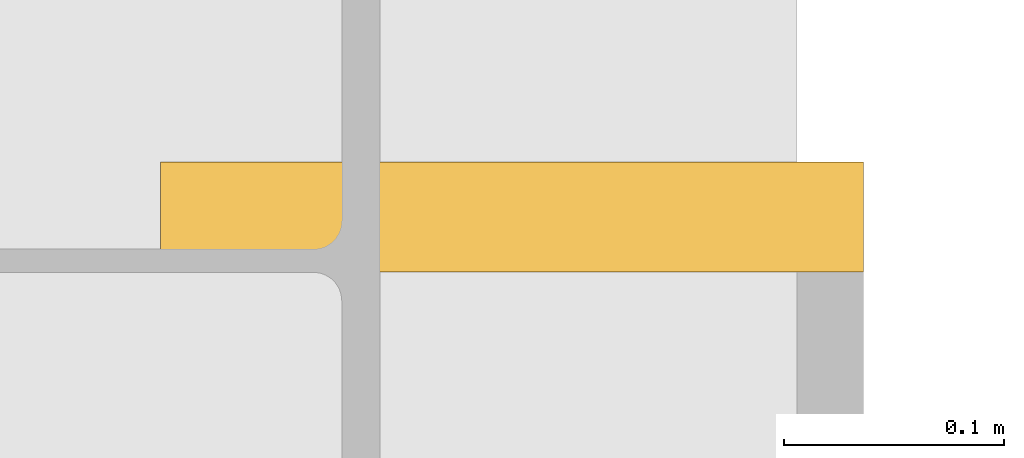
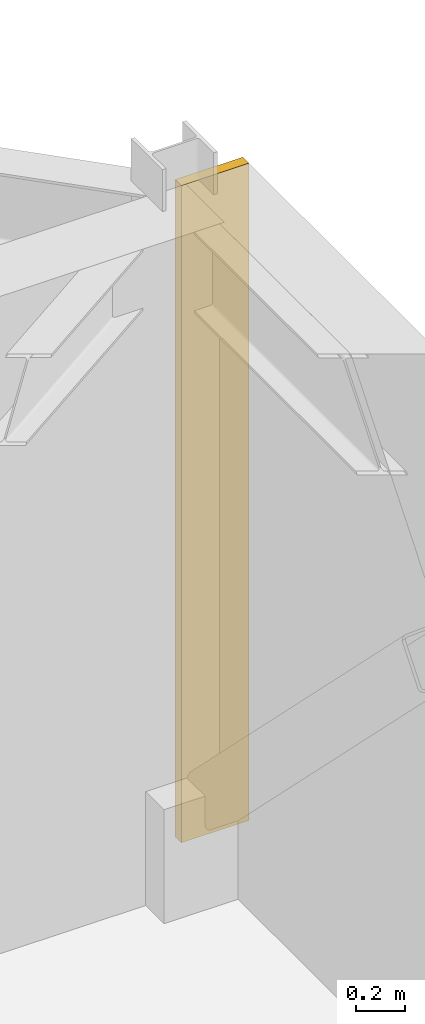
# One storey, part 17 of 17: 1 covering.
"""IFC4 building model written with IfcOpenShell, lengths in metres."""

import ifcopenshell
import ifcopenshell.guid

model = None  # the IFC model being written
_history = None  # IfcOwnerHistory: only IFC2X3 demands one
_inside = {}  # id of a spatial element -> (the spatial element, [elements in it])
_under = {}  # id of a project, library or spatial element -> (it, [spatial elements below it])
_declared = {}  # id of a project -> (the project, [libraries it declares])
_typed = {}  # id of a type object -> (the type object, [elements of that type])
_made_of = {}  # id of a material, layer set ... -> (it, [elements and type objects made of it])


def new_model(schema):
    """Start an empty IFC model of exactly this schema.

    Asked for "IFC4X3", IfcOpenShell would pick the latest addendum, in which some entities
    have other attributes; the version numbers below select the first issue.
    IFC2X3 requires an IfcOwnerHistory on every rooted entity: one is made here for all.
    """
    global model, _history
    if schema == "IFC4X3":
        model = ifcopenshell.file(schema_version=(4, 3, 0, 0))
    else:
        model = ifcopenshell.file(schema=schema)
    _inside.clear()
    _under.clear()
    _declared.clear()
    _typed.clear()
    _made_of.clear()
    _history = None
    if model.schema == "IFC2X3":
        org = make("IfcOrganization", Name="unknown")
        user = make(
            "IfcPersonAndOrganization",
            ThePerson=make("IfcPerson", FamilyName="unknown"),
            TheOrganization=org,
        )
        app = make(
            "IfcApplication",
            ApplicationDeveloper=org,
            Version="unknown",
            ApplicationFullName="unknown",
            ApplicationIdentifier="unknown",
        )
        _history = make(
            "IfcOwnerHistory",
            OwningUser=user,
            OwningApplication=app,
            ChangeAction="ADDED",
            CreationDate=0,
        )
    return model


def make(cls, **values):
    """One entity of the class cls with the attributes given. An attribute that is None is left unset."""
    return model.create_entity(
        cls, **{name: value for name, value in values.items() if value is not None}
    )


def rooted(cls, **values):
    """An entity with a GlobalId (a new one), such as an element, a storey or a relation."""
    return make(cls, GlobalId=ifcopenshell.guid.new(), OwnerHistory=_history, **values)


def si_unit(unit_type, name, prefix=None):
    """IfcSIUnit, for example si_unit("LENGTHUNIT", "METRE", prefix="MILLI")."""
    return make("IfcSIUnit", UnitType=unit_type, Prefix=prefix, Name=name)


def assignment(units):
    """IfcUnitAssignment: the units of a project."""
    return None if units is None else make("IfcUnitAssignment", Units=units)


def point(xyz):
    """IfcCartesianPoint."""
    return None if xyz is None else make("IfcCartesianPoint", Coordinates=xyz)


def direction(xyz):
    """IfcDirection."""
    return None if xyz is None else make("IfcDirection", DirectionRatios=xyz)


def frame(location, z_axis=None, x_axis=None):
    """IfcAxis2Placement3D, a coordinate frame: its origin and axes. An axis left out is left unset."""
    return make(
        "IfcAxis2Placement3D",
        Location=point(location),
        Axis=direction(z_axis),
        RefDirection=direction(x_axis),
    )


def frame_2d(location, x_axis=None):
    """IfcAxis2Placement2D, a coordinate frame in the plane: its origin and x axis."""
    return make(
        "IfcAxis2Placement2D", Location=point(location), RefDirection=direction(x_axis)
    )


def origin():
    """The frame at (0, 0, 0) with its axes left unset."""
    return frame((0.0, 0.0, 0.0))


def place(relative_to, where):
    """IfcLocalPlacement: puts the frame where relative to a parent placement (None: the world)."""
    return make(
        "IfcLocalPlacement", PlacementRelTo=relative_to, RelativePlacement=where
    )


def context(
    kind, dimensions, precision=None, world=None, true_north=None, identifier=None
):
    """IfcGeometricRepresentationContext, for example the 3D "Model" context."""
    return make(
        "IfcGeometricRepresentationContext",
        ContextIdentifier=identifier,
        ContextType=kind,
        CoordinateSpaceDimension=dimensions,
        Precision=precision,
        WorldCoordinateSystem=world,
        TrueNorth=true_north,
    )


def subcontext(parent, identifier, kind, view, scale=None):
    """IfcGeometricRepresentationSubContext, for example "Body" below "Model"."""
    return make(
        "IfcGeometricRepresentationSubContext",
        ContextIdentifier=identifier,
        ContextType=kind,
        ParentContext=parent,
        TargetScale=scale,
        TargetView=view,
    )


def project(units=None, contexts=None):
    """IfcProject with its units and contexts."""
    return rooted(
        "IfcProject",
        Name="project",
        RepresentationContexts=contexts,
        UnitsInContext=assignment(units),
    )


def spatial(cls, under=None, at=None, **own):
    """A site, building, storey or space (cls), placed at a placement, below another one or the project."""
    s = rooted(cls, ObjectPlacement=at, **own)
    if under is not None:
        _under.setdefault(under.id(), (under, []))[1].append(s)
    return s


def profile(cls, at=None, kind="AREA", **sizes):
    """A parametric profile (cls). Its sizes go by their IFC names, for example OverallWidth=200.0."""
    return make(cls, ProfileType=kind, Position=at, **sizes)


def rectangle(**sizes):
    """IfcRectangleProfileDef."""
    return profile("IfcRectangleProfileDef", **sizes)


def extrude(swept, where, along, depth):
    """IfcExtrudedAreaSolid: the profile swept, set in the frame where, extruded along a direction by depth."""
    return make(
        "IfcExtrudedAreaSolid",
        SweptArea=swept,
        Position=where,
        ExtrudedDirection=direction(along),
        Depth=depth,
    )


def shape(context_of_items, identifier, shape_type, items):
    """IfcShapeRepresentation: the items that make up one representation, for example the "Body"."""
    return make(
        "IfcShapeRepresentation",
        ContextOfItems=context_of_items,
        RepresentationIdentifier=identifier,
        RepresentationType=shape_type,
        Items=items,
    )


def material(Name=None, Category=None):
    """IfcMaterial."""
    return make("IfcMaterial", Name=Name, Category=Category)


def layer(
    of_material, thickness, ventilated=None, Name=None, Category=None, Priority=None
):
    """IfcMaterialLayer: one layer of a wall or slab, of a material (None: an air gap)."""
    return make(
        "IfcMaterialLayer",
        Material=of_material,
        LayerThickness=thickness,
        IsVentilated=ventilated,
        Name=Name,
        Category=Category,
        Priority=Priority,
    )


def layer_set(layers, Name=None):
    """IfcMaterialLayerSet."""
    return make("IfcMaterialLayerSet", MaterialLayers=layers, LayerSetName=Name)


def made_of(thing, what):
    """Note that an element or type object is made of a material, layer set ...; save() writes the relation."""
    if what is not None:
        _made_of.setdefault(what.id(), (what, []))[1].append(thing)
    return thing


def type_object(cls, material=None, **own):
    """A type object (cls), such as IfcWallType, which elements share."""
    return made_of(rooted(cls, **own), material)


def element(
    cls,
    number,
    at=None,
    inside=None,
    cuts=None,
    type_object=None,
    material=None,
    context=None,
    identifier="Body",
    shape_type=None,
    held_by="IfcProductDefinitionShape",
    body=None,
    shapes=None,
    **own,
):
    """One element of the class cls, such as IfcWall. Its Tag is "e" and its number.

    at: its placement. inside: the storey or other place that contains it. cuts: it is an
    opening in that element (IfcRelVoidsElement). A single representation is given by context,
    identifier, shape_type and body (its items); several are given by shapes. held_by: the class
    of the entity that holds the representations. save() writes the other relations.
    """
    e = rooted(cls, Tag="e%d" % number, ObjectPlacement=at, **own)
    if body is not None:
        shapes = [shape(context, identifier, shape_type, body)]
    if shapes is not None:
        e.Representation = make(held_by, Representations=shapes)
    if inside is not None:
        _inside.setdefault(inside.id(), (inside, []))[1].append(e)
    if cuts is not None:
        rooted(
            "IfcRelVoidsElement", RelatingBuildingElement=cuts, RelatedOpeningElement=e
        )
    if type_object is not None:
        _typed.setdefault(type_object.id(), (type_object, []))[1].append(e)
    return made_of(e, material)


def aggregate(whole, parts):
    """IfcRelAggregates: a whole, such as a stair, and the parts it consists of."""
    return rooted("IfcRelAggregates", RelatingObject=whole, RelatedObjects=parts)


def save(model, path):
    """Write the relations noted so far, then the file.

    IfcRelAggregates (storeys below a building ...), IfcRelContainedInSpatialStructure (elements
    in a storey), IfcRelDefinesByType, IfcRelAssociatesMaterial and IfcRelDeclares: one each for
    every whole, place, type object, material and project.
    """
    for whole, parts in _under.values():
        aggregate(whole, parts)
    for where, things in _inside.values():
        rooted(
            "IfcRelContainedInSpatialStructure",
            RelatedElements=things,
            RelatingStructure=where,
        )
    for kind, things in _typed.values():
        rooted("IfcRelDefinesByType", RelatedObjects=things, RelatingType=kind)
    for what, things in _made_of.values():
        rooted("IfcRelAssociatesMaterial", RelatedObjects=things, RelatingMaterial=what)
    for by, libraries in _declared.values():
        rooted("IfcRelDeclares", RelatingContext=by, RelatedDefinitions=libraries)
    model.write(path)


model = new_model("IFC4")

# Units and contexts
model_context = context("Model", 3, precision=1e-05, world=origin(), true_north=direction((0.0, 1.0)))
body_context = subcontext(model_context, "Body", "Model", "MODEL_VIEW")
ifc_project = project(units=[si_unit("LENGTHUNIT", "METRE"), si_unit("AREAUNIT", "SQUARE_METRE"), si_unit("VOLUMEUNIT", "CUBIC_METRE"), si_unit("PLANEANGLEUNIT", "RADIAN"), si_unit("MASSUNIT", "GRAM", prefix="KILO")], contexts=[model_context])

# Site, building, storey
site_placement = place(None, origin())
site = spatial("IfcSite", under=ifc_project, at=site_placement, CompositionType="ELEMENT")
building_placement = place(site_placement, origin())
building = spatial("IfcBuilding", under=site, at=building_placement, Name="Cairnveth Concourse Tower", CompositionType="ELEMENT")
storey_placement = place(building_placement, frame((0.0, 0.0, 251.5)))
storey = spatial("IfcBuildingStorey", under=building, at=storey_placement, Name="L69", CompositionType="ELEMENT", Elevation=251.5)

# Covering
ifc_material = material(Name="Dressed Melbourne Bluestone Cladding", Category="masonry")
ifc_layer = layer(ifc_material, 0.050048828125)
ifc_layer_set = layer_set([ifc_layer], Name="Dressed Melbourne Bluestone Cladding")
covering_type = type_object("IfcCoveringType", Name="DRESSED BLUESTONE PLINTH CLADDING 50", PredefinedType="CLADDING", material=ifc_layer_set)
covering_placement = place(storey_placement, frame((74.179931640625, 56.52001953125, 0.0), z_axis=(0.0, 0.0, 1.0), x_axis=(1.0, 0.0, 0.0)))
element("IfcCovering", 1, at=covering_placement, inside=storey, type_object=covering_type, Name="Melbourne Bluestone Corner Quoin L69-1045", PredefinedType="CLADDING", context=body_context, shape_type="SweptSolid", body=[
    extrude(rectangle(XDim=0.320068359375, YDim=0.050048828125, at=frame_2d((0.16015625, 0.0))), origin(), (0.0, 0.0, 1.0), 3.2900390625),
])

save(model, "model.ifc")
